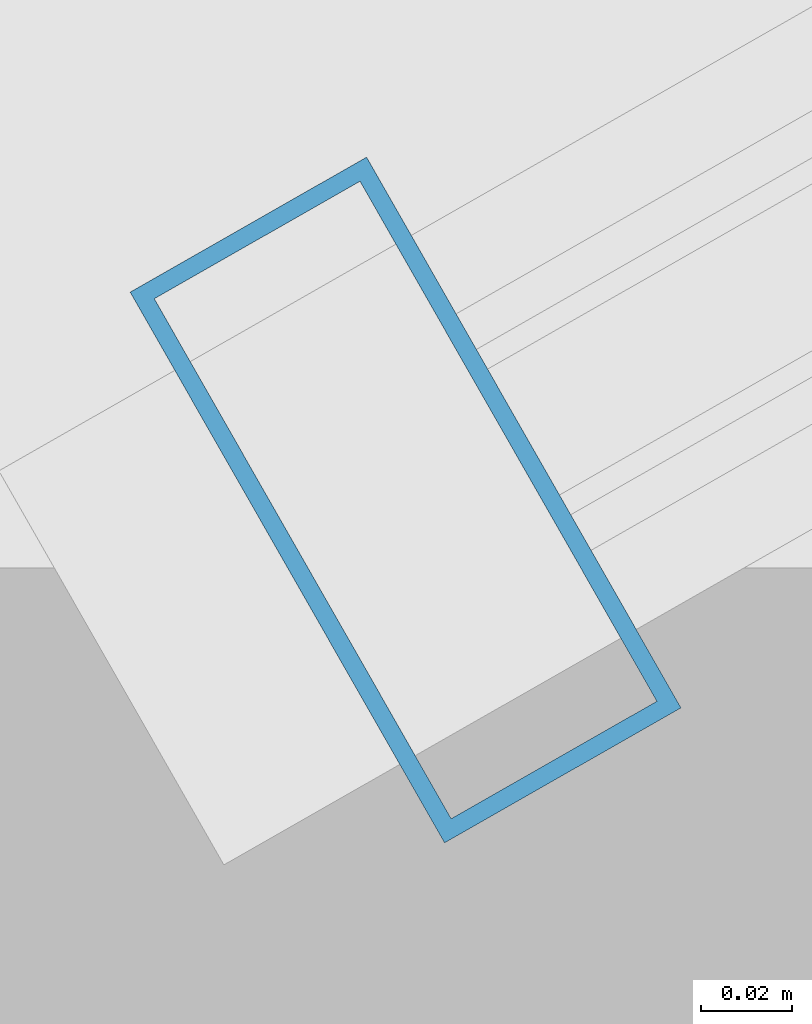
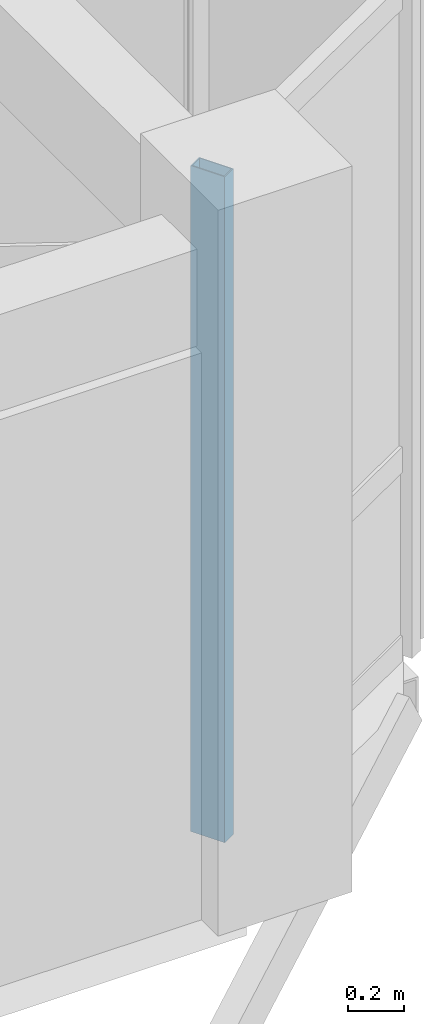
# One storey, part 23 of 77: 1 member, 1 element without a shape of its own.
"""IFC4 building model written with IfcOpenShell, lengths in metres."""

from ifc_helpers import new_model, si_unit, direction, frame, origin, origin_2d, place, context, subcontext, project, spatial, hollow_rectangle, extrude, material, layer, layer_set, material_profile, profile_set, type_object, element, aggregate, save


model = new_model("IFC4")

# Units and contexts
model_context = context("Model", 3, precision=1e-05, world=origin(), true_north=direction((0.0, 1.0)))
body_context = subcontext(model_context, "Body", "Model", "MODEL_VIEW")
ifc_project = project(units=[si_unit("LENGTHUNIT", "METRE"), si_unit("AREAUNIT", "SQUARE_METRE"), si_unit("VOLUMEUNIT", "CUBIC_METRE"), si_unit("PLANEANGLEUNIT", "RADIAN"), si_unit("MASSUNIT", "GRAM", prefix="KILO"), si_unit("THERMODYNAMICTEMPERATUREUNIT", "KELVIN"), si_unit("POWERUNIT", "WATT")], contexts=[model_context])

# Site, building, storey
site_placement = place(None, origin())
site = spatial("IfcSite", under=ifc_project, at=site_placement, CompositionType="ELEMENT")
building_placement = place(site_placement, origin())
building = spatial("IfcBuilding", under=site, at=building_placement, Name="Tavuni Mirador Residences", CompositionType="ELEMENT")
storey_placement = place(building_placement, frame((0.0, 0.0, 17.10009765625)))
storey = spatial("IfcBuildingStorey", under=building, at=storey_placement, Name="L05", CompositionType="ELEMENT", Elevation=17.10009765625)

# Curtain wall, member
ifc_material = material(Name="Anodised aluminium", Category="aluminium")
ifc_layer = layer(ifc_material, 0.175048828125, Name="Anodised aluminium", Category="aluminium")
ifc_layer_set = layer_set([ifc_layer], Name="Anodised aluminium")
curtain_wall_type = type_object("IfcCurtainWallType", Name="CWT-MIR-C", PredefinedType="NOTDEFINED", material=ifc_layer_set)
curtain_wall_placement = place(storey_placement, origin())
curtain_wall = element("IfcCurtainWall", 1, at=curtain_wall_placement, inside=storey, type_object=curtain_wall_type, Name="CW-MIR-D-E1-L05-M1", PredefinedType="NOTDEFINED")
ifc_material_profile = material_profile(ifc_material, hollow_rectangle(XDim=0.06005859375, YDim=0.139892578125, WallThickness=0.00390625, at=origin_2d()), Name="ALU 60x140x4.0", Category="aluminium")
ifc_profile_set = profile_set([ifc_material_profile], Name="Anodised aluminium")
member_type = type_object("IfcMemberType", Name="CWM-140", PredefinedType="MULLION", material=ifc_profile_set)
member_placement = place(storey_placement, frame((118.826171875, 86.68994140625, 0.0), z_axis=(0.0, 0.0, 1.0), x_axis=(0.868465738194, 0.495749192217, 0.0)))
member = element("IfcMember", 2, at=member_placement, type_object=member_type, Name="CW-03 mullion 1", PredefinedType="MULLION", context=body_context, shape_type="SweptSolid", body=[
    extrude(hollow_rectangle(XDim=0.06005859375, YDim=0.139892578125, WallThickness=0.00390625, at=origin_2d()), origin(), (0.0, 0.0, 1.0), 2.889892578125),
])
aggregate(curtain_wall, [member])

save(model, "model.ifc")
